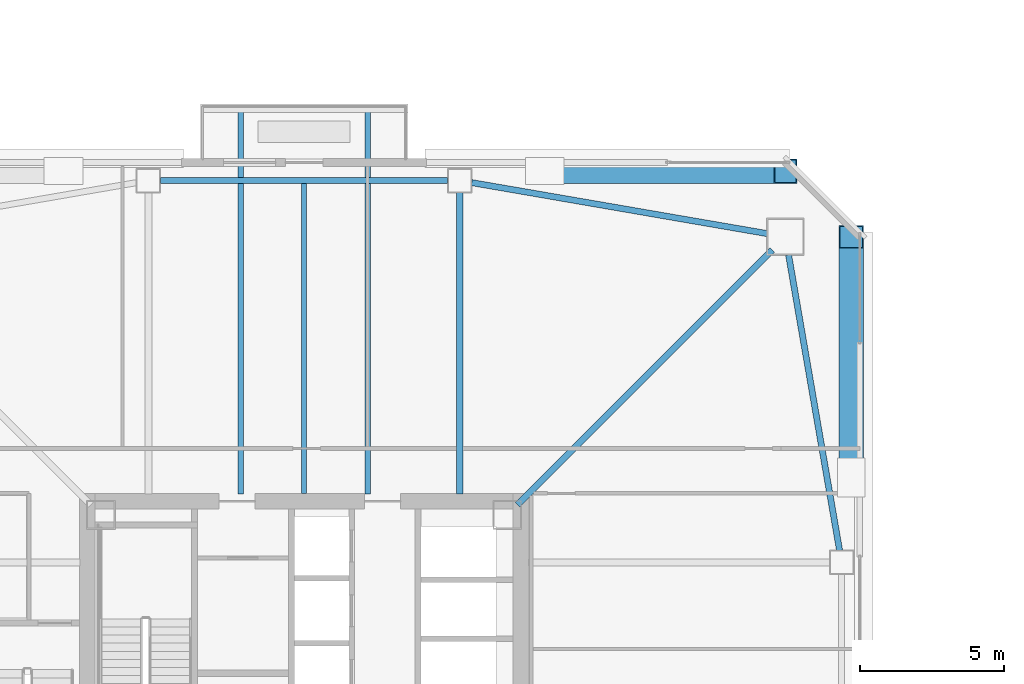
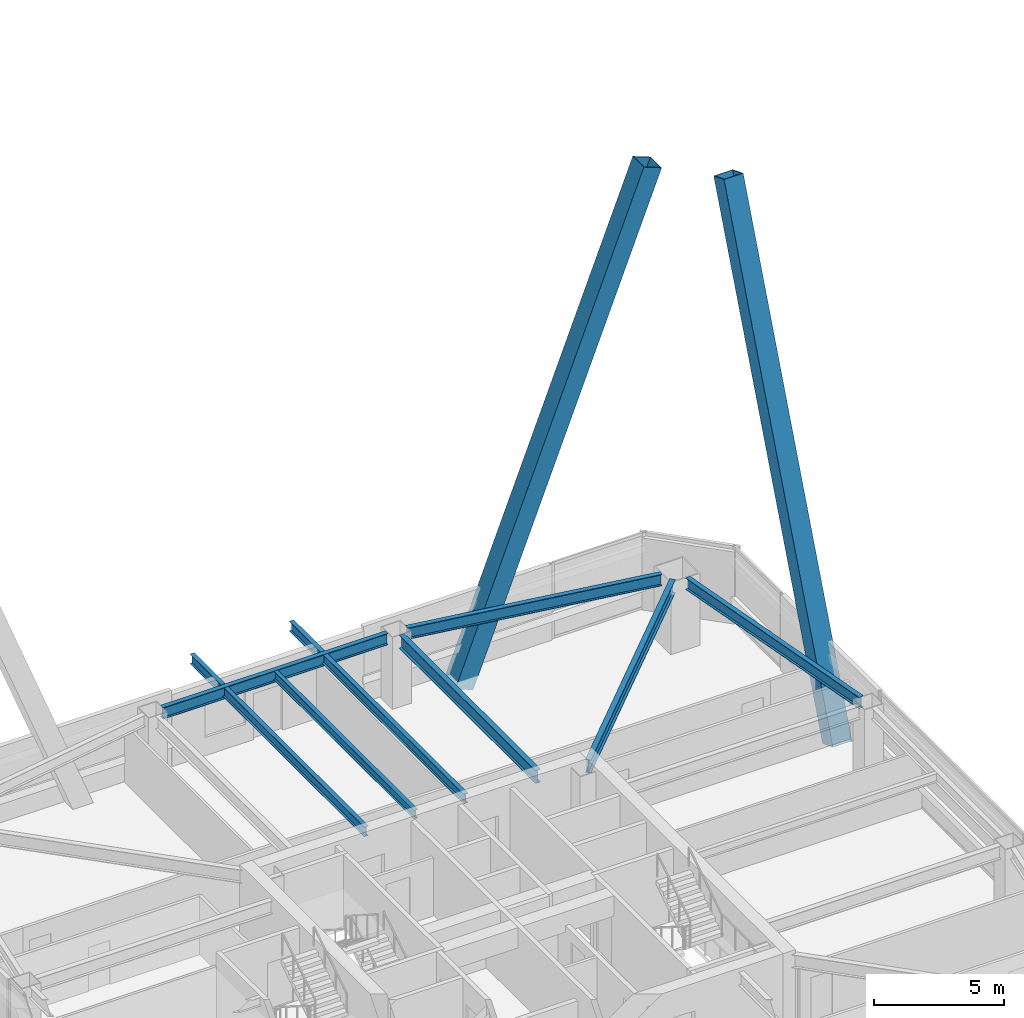
# One storey, part 21 of 54: 8 beams, 2 members.
"""IFC4 building model written with IfcOpenShell, lengths in metres."""

from ifc_helpers import new_model, si_unit, direction, frame, origin, origin_2d, place, context, subcontext, project, spatial, hollow_rectangle, i_section, extrude, material, material_profile, profile_set, type_object, element, save


model = new_model("IFC4")

# Units and contexts
model_context = context("Model", 3, precision=1e-05, world=origin(), true_north=direction((0.0, 1.0)))
body_context = subcontext(model_context, "Body", "Model", "MODEL_VIEW")
ifc_project = project(units=[si_unit("LENGTHUNIT", "METRE"), si_unit("AREAUNIT", "SQUARE_METRE"), si_unit("VOLUMEUNIT", "CUBIC_METRE"), si_unit("PLANEANGLEUNIT", "RADIAN"), si_unit("MASSUNIT", "GRAM", prefix="KILO")], contexts=[model_context])

# Site, building, storey
site_placement = place(None, origin())
site = spatial("IfcSite", under=ifc_project, at=site_placement, CompositionType="ELEMENT")
building_placement = place(site_placement, origin())
building = spatial("IfcBuilding", under=site, at=building_placement, Name="Tashvorn Skyway Center", CompositionType="ELEMENT")
storey_placement = place(building_placement, frame((0.0, 0.0, 135.699951171875)))
storey = spatial("IfcBuildingStorey", under=building, at=storey_placement, Name="L36", CompositionType="ELEMENT", Elevation=135.699951171875)

# Beams
ifc_material_1 = material(Name="Steel ASTM A992 Grade 50", Category="steel")
ifc_material_profile_1 = material_profile(ifc_material_1, i_section(OverallWidth=0.22998046875, OverallDepth=0.616943359375, WebThickness=0.01318359375, FlangeThickness=0.022216796875, at=origin_2d()), Name="W24X94")
ifc_profile_set_1 = profile_set([ifc_material_profile_1], Name="Steel ASTM A992 Grade 50")
beam_type_1 = type_object("IfcBeamType", Name="BM-BEAM-W24X94", PredefinedType="BEAM", material=ifc_profile_set_1)
beam_1_placement = place(storey_placement, frame((58.243896484375, 48.243896484375, 3.0615234375), z_axis=(-0.707106781187, -0.707106781187, 0.0), x_axis=(0.707106781187, -0.707106781187, 0.0)))
element("IfcBeam", 1, at=beam_1_placement, inside=storey, type_object=beam_type_1, Name="Tower 1 L36 Primary Floor Girder MC-NE", PredefinedType="BEAM", context=body_context, shape_type="SweptSolid", body=[
    extrude(i_section(OverallWidth=0.22998046875, OverallDepth=0.616943359375, WebThickness=0.01318359375, FlangeThickness=0.022216796875, at=origin_2d()), origin(), (0.0, 0.0, 1.0), 12.50732421875),
])
beam_2_placement = place(storey_placement, frame((47.39990234375, 50.22998046875, 3.0615234375), z_axis=(0.0, -1.0, 0.0), x_axis=(1.0, 0.0, 0.0)))
element("IfcBeam", 2, at=beam_2_placement, inside=storey, type_object=beam_type_1, Name="Tower 1 L36 Primary Floor Girder FC-N1", PredefinedType="BEAM", context=body_context, shape_type="SweptSolid", body=[
    extrude(i_section(OverallWidth=0.22998046875, OverallDepth=0.616943359375, WebThickness=0.01318359375, FlangeThickness=0.022216796875, at=origin_2d()), origin(), (0.0, 0.0, 1.0), 10.449951171875),
])
ifc_material_profile_2 = material_profile(ifc_material_1, i_section(OverallWidth=0.177978515625, OverallDepth=0.406005859375, WebThickness=0.0078125, FlangeThickness=0.0126953125, at=origin_2d()), Name="W16X40")
ifc_profile_set_2 = profile_set([ifc_material_profile_2], Name="Steel ASTM A992 Grade 50")
beam_type_2 = type_object("IfcBeamType", Name="BM-JOIST-W16X40", PredefinedType="JOIST", material=ifc_profile_set_2)
beam_3_placement = place(storey_placement, frame((42.0, 39.7900390625, 3.1669921875), z_axis=(0.0, 1.0, 0.0), x_axis=(-1.0, 0.0, 0.0)))
element("IfcBeam", 3, at=beam_3_placement, inside=storey, type_object=beam_type_2, Name="Tower 1 L36 Secondary Composite Joist JN", PredefinedType="JOIST", context=body_context, shape_type="SweptSolid", body=[
    extrude(i_section(OverallWidth=0.177978515625, OverallDepth=0.406005859375, WebThickness=0.0078125, FlangeThickness=0.0126953125, at=origin_2d()), origin(), (0.0, 0.0, 1.0), 10.762451171875),
])
ifc_material_profile_3 = material_profile(ifc_material_1, i_section(OverallWidth=0.19091796875, OverallDepth=0.4599609375, WebThickness=0.010009765625, FlangeThickness=0.01611328125, at=origin_2d()), Name="W18X55")
ifc_profile_set_3 = profile_set([ifc_material_profile_3], Name="Steel ASTM A992 Grade 50")
beam_type_3 = type_object("IfcBeamType", Name="BM-JOIST-W18X55", PredefinedType="JOIST", material=ifc_profile_set_3)
for number, where, z_axis, x_axis, name in (
    (4, (39.800048828125, 39.780029296875, 3.14013671875), (0.0, 1.0, 0.0), (-1.0, 0.0, 0.0), "Tower 1 L37 Terrace Cantilever Outlooker 1"),
    (5, (44.199951171875, 39.780029296875, 3.14013671875), (0.0, 1.0, 0.0), (-1.0, 0.0, 0.0), "Tower 1 L37 Terrace Cantilever Outlooker 2"),
):
    element("IfcBeam", number, at=place(storey_placement, frame(where, z_axis=z_axis, x_axis=x_axis)), inside=storey, type_object=beam_type_3, Name=name, PredefinedType="JOIST", context=body_context, shape_type="SweptSolid", body=[
        extrude(i_section(OverallWidth=0.19091796875, OverallDepth=0.4599609375, WebThickness=0.010009765625, FlangeThickness=0.01611328125, at=origin_2d()), origin(), (0.0, 0.0, 1.0), 13.369873046875),
    ])
ifc_material_profile_4 = material_profile(ifc_material_1, i_section(OverallWidth=0.2109375, OverallDepth=0.5390625, WebThickness=0.01171875, FlangeThickness=0.018798828125, at=origin_2d()), Name="W21X73")
ifc_profile_set_4 = profile_set([ifc_material_profile_4], Name="Steel ASTM A992 Grade 50")
beam_type_4 = type_object("IfcBeamType", Name="BM-SPANDREL-W21X73", PredefinedType="SPANDREL", material=ifc_profile_set_4)
for number, where, z_axis, x_axis, name in (
    (6, (60.57861328125, 37.81396484375, 3.1005859375), (-0.170067250846, 0.985432458462, 0.0), (-0.985432458462, -0.170067250846, 0.0), "Tower 1 L36 Spandrel Beam 06"),
    (7, (58.064453125, 48.8095703125, 3.1005859375), (-0.985432458462, 0.170067250846, 0.0), (-0.170067250846, -0.985432458462, 0.0), "Tower 1 L36 Spandrel Beam 07"),
):
    element("IfcBeam", number, at=place(storey_placement, frame(where, z_axis=z_axis, x_axis=x_axis)), inside=storey, type_object=beam_type_4, Name=name, PredefinedType="SPANDREL", context=body_context, shape_type="SweptSolid", body=[
        extrude(i_section(OverallWidth=0.2109375, OverallDepth=0.5390625, WebThickness=0.01171875, FlangeThickness=0.018798828125, at=origin_2d()), origin(), (0.0, 0.0, 1.0), 10.402099609375),
    ])
beam_4_placement = place(storey_placement, frame((46.97998046875, 50.64990234375, 3.1005859375), z_axis=(-1.0, 0.0, 0.0), x_axis=(0.0, -1.0, 0.0)))
element("IfcBeam", 8, at=beam_4_placement, inside=storey, type_object=beam_type_4, Name="Tower 1 L36 Spandrel Beam 08", PredefinedType="SPANDREL", context=body_context, shape_type="SweptSolid", body=[
    extrude(i_section(OverallWidth=0.2109375, OverallDepth=0.5390625, WebThickness=0.01171875, FlangeThickness=0.018798828125, at=origin_2d()), origin(), (0.0, 0.0, 1.0), 9.9599609375),
])

# Members
ifc_material_2 = material(Name="Steel ASTM A572 Grade 50", Category="steel")
ifc_material_profile_5 = material_profile(ifc_material_2, hollow_rectangle(XDim=0.85009765625, YDim=0.85009765625, WallThickness=0.034912109375, at=origin_2d()), Name="BOX850x850x35")
ifc_profile_set_5 = profile_set([ifc_material_profile_5], Name="Steel ASTM A572 Grade 50")
member_type = type_object("IfcMemberType", Name="MEM-MB-850", PredefinedType="BRACE", material=ifc_profile_set_5)
for number, where, z_axis, x_axis, name in (
    (9, (60.97998046875, 40.35009765625, -0.449951171875), (0.0, 0.361729555394, 0.932283073296), (-1.0, 0.0, 0.0), "Tower 1 Zone 3 E Chevron Mega-Brace R2"),
    (10, (50.35009765625, 50.97998046875, -0.449951171875), (0.361729555394, 0.0, 0.932283073296), (0.0, 1.0, 0.0), "Tower 1 Zone 3 N Chevron Mega-Brace L2"),
):
    element("IfcMember", number, at=place(storey_placement, frame(where, z_axis=z_axis, x_axis=x_axis)), inside=storey, type_object=member_type, Name=name, PredefinedType="BRACE", context=body_context, shape_type="SweptSolid", body=[
        extrude(hollow_rectangle(XDim=0.85009765625, YDim=0.85009765625, WallThickness=0.034912109375, at=origin_2d()), origin(), (0.0, 0.0, 1.0), 23.083251953125),
    ])

save(model, "model.ifc")
